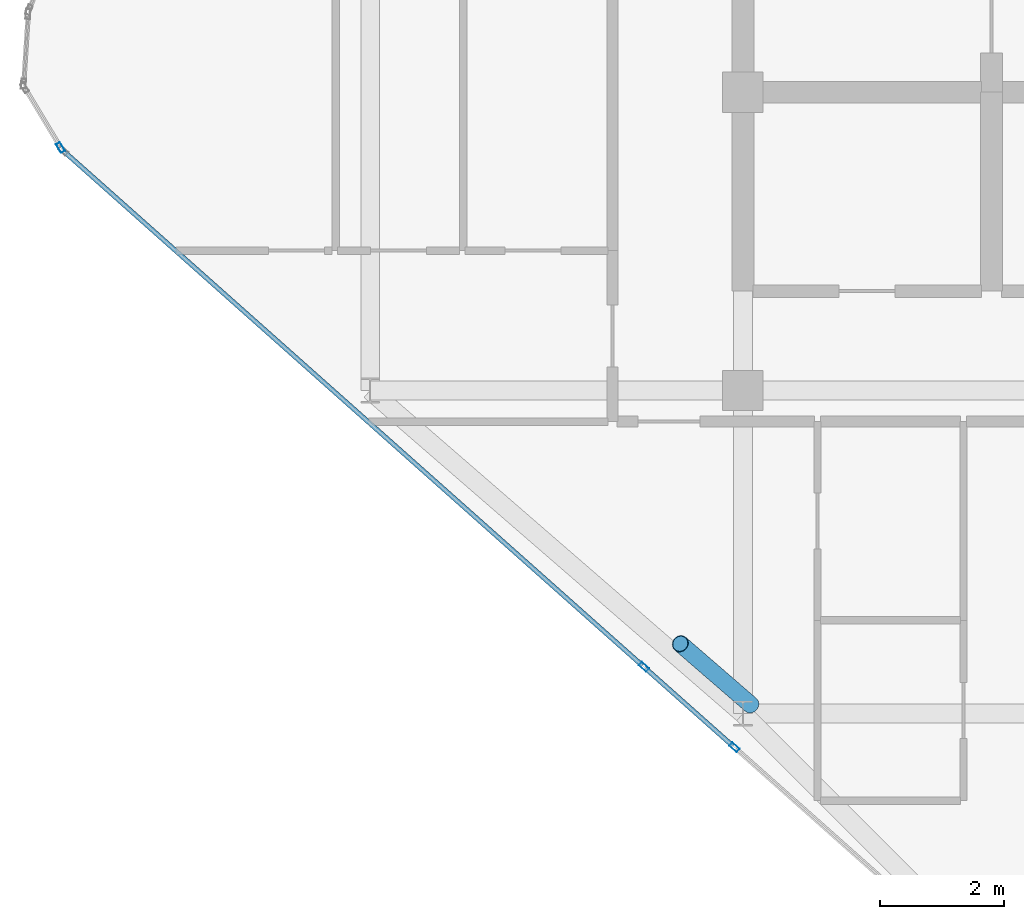
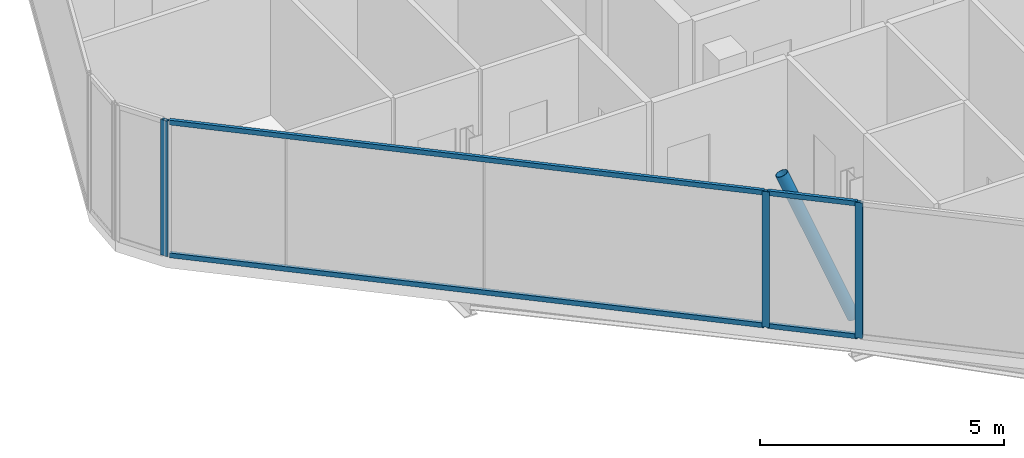
# One storey, part 3 of 27: 8 members, 4 elements without a shape of their own.
"""IFC4 building model written with IfcOpenShell, lengths in metres."""

from ifc_helpers import new_model, si_unit, direction, frame, origin, origin_2d, place, context, subcontext, project, spatial, hollow_rectangle, hollow_circle, extrude, material, layer, layer_set, material_profile, profile_set, type_object, element, aggregate, save


model = new_model("IFC4")

# Units and contexts
model_context = context("Model", 3, precision=1e-05, world=origin(), true_north=direction((0.0, 1.0)))
body_context = subcontext(model_context, "Body", "Model", "MODEL_VIEW")
ifc_project = project(units=[si_unit("LENGTHUNIT", "METRE"), si_unit("AREAUNIT", "SQUARE_METRE"), si_unit("VOLUMEUNIT", "CUBIC_METRE"), si_unit("PLANEANGLEUNIT", "RADIAN"), si_unit("MASSUNIT", "GRAM", prefix="KILO")], contexts=[model_context])

# Site, building, storey
site_placement = place(None, origin())
site = spatial("IfcSite", under=ifc_project, at=site_placement, CompositionType="ELEMENT")
building_placement = place(site_placement, origin())
building = spatial("IfcBuilding", under=site, at=building_placement, Name="Keshet Zoharim Tower", CompositionType="ELEMENT")
storey_placement = place(building_placement, frame((0.0, 0.0, 291.699951171875)))
storey = spatial("IfcBuildingStorey", under=building, at=storey_placement, Name="L73", CompositionType="ELEMENT", Elevation=291.699951171875)

# Curtain wall, member
ifc_material_1 = material(Name="Aluminium 6063-T6", Category="aluminium")
ifc_layer = layer(ifc_material_1, 0.260009765625)
ifc_layer_set = layer_set([ifc_layer], Name="Aluminium 6063-T6")
curtain_wall_type = type_object("IfcCurtainWallType", Name="CW-SYS-06", PredefinedType="NOTDEFINED", material=ifc_layer_set)
curtain_wall_1_placement = place(storey_placement, origin())
curtain_wall_1 = element("IfcCurtainWall", 1, at=curtain_wall_1_placement, inside=storey, type_object=curtain_wall_type, Name="L73 Unitised Curtain Wall 01", PredefinedType="NOTDEFINED")
ifc_material_profile_1 = material_profile(ifc_material_1, hollow_rectangle(XDim=0.074951171875, YDim=0.159912109375, WallThickness=0.00390625, at=origin_2d()), Name="MUL-75x160")
ifc_profile_set_1 = profile_set([ifc_material_profile_1], Name="Aluminium 6063-T6")
member_type_1 = type_object("IfcMemberType", Name="CWM-M15", PredefinedType="MULLION", material=ifc_profile_set_1)
member_1_placement = place(storey_placement, frame((4.016845703125, 21.81005859375, 0.0), z_axis=(0.0, 0.0, 1.0), x_axis=(-0.856826433805, -0.515604947933, 0.0)))
member_1 = element("IfcMember", 2, at=member_1_placement, type_object=member_type_1, Name="CW-06 mullion 1", PredefinedType="MULLION", context=body_context, shape_type="SweptSolid", body=[
    extrude(hollow_rectangle(XDim=0.074951171875, YDim=0.159912109375, WallThickness=0.00390625, at=origin_2d()), origin(), (0.0, 0.0, 1.0), 3.39013671875),
])
aggregate(curtain_wall_1, [member_1])

curtain_wall_2_placement = place(storey_placement, origin())
curtain_wall_2 = element("IfcCurtainWall", 3, at=curtain_wall_2_placement, inside=storey, type_object=curtain_wall_type, Name="L73 Unitised Curtain Wall 16", PredefinedType="NOTDEFINED")
member_2_placement = place(storey_placement, frame((14.863037109375, 12.155029296875, 0.0), z_axis=(0.0, 0.0, 1.0), x_axis=(-0.664362180559, -0.747410792699, 0.0)))
member_2 = element("IfcMember", 4, at=member_2_placement, type_object=member_type_1, Name="CW-06 mullion 2", PredefinedType="MULLION", context=body_context, shape_type="SweptSolid", body=[
    extrude(hollow_rectangle(XDim=0.074951171875, YDim=0.159912109375, WallThickness=0.00390625, at=origin_2d()), origin(), (0.0, 0.0, 1.0), 3.39013671875),
])
aggregate(curtain_wall_2, [member_2])

# Curtain wall, members
curtain_wall_3_placement = place(storey_placement, origin())
curtain_wall_3 = element("IfcCurtainWall", 5, at=curtain_wall_3_placement, inside=storey, type_object=curtain_wall_type, Name="L73 Unitised Curtain Wall 16 Part 2", PredefinedType="NOTDEFINED")
member_3_placement = place(storey_placement, frame((13.40576171875, 13.450439453125, 0.0), z_axis=(0.0, 0.0, 1.0), x_axis=(-0.664338369143, -0.747431957629, 0.0)))
member_3 = element("IfcMember", 6, at=member_3_placement, type_object=member_type_1, Name="CW-06 mullion 2", PredefinedType="MULLION", context=body_context, shape_type="SweptSolid", body=[
    extrude(hollow_rectangle(XDim=0.074951171875, YDim=0.159912109375, WallThickness=0.00390625, at=origin_2d()), origin(), (0.0, 0.0, 1.0), 3.39013671875),
])
ifc_material_profile_2 = material_profile(ifc_material_1, hollow_rectangle(XDim=0.074951171875, YDim=0.1201171875, WallThickness=0.00390625, at=origin_2d()), Name="TRN-75x120")
ifc_profile_set_2 = profile_set([ifc_material_profile_2], Name="Aluminium 6063-T6")
member_type_2 = type_object("IfcMemberType", Name="CWT-T12", PredefinedType="USERDEFINED", material=ifc_profile_set_2)
member_4_placement = place(storey_placement, frame((14.8369140625, 12.178466796875, 0.03515625), z_axis=(-0.747452318941, 0.664315460387, 0.0), x_axis=(-0.664315460387, -0.747452318941, 0.0)))
member_4 = element("IfcMember", 7, at=member_4_placement, type_object=member_type_2, Name="CW-06 transom 1.1", ObjectType="TRANSOM", PredefinedType="USERDEFINED", context=body_context, shape_type="SweptSolid", body=[
    extrude(hollow_rectangle(XDim=0.074951171875, YDim=0.1201171875, WallThickness=0.00390625, at=origin_2d()), origin(), (0.0, 0.0, 1.0), 1.87939453125),
])
member_5_placement = place(storey_placement, frame((14.8369140625, 12.178466796875, 3.35498046875), z_axis=(-0.747452318941, 0.664315460387, 0.0), x_axis=(-0.664315460387, -0.747452318941, 0.0)))
member_5 = element("IfcMember", 8, at=member_5_placement, type_object=member_type_2, Name="CW-06 transom 1.2", ObjectType="TRANSOM", PredefinedType="USERDEFINED", context=body_context, shape_type="SweptSolid", body=[
    extrude(hollow_rectangle(XDim=0.074951171875, YDim=0.1201171875, WallThickness=0.00390625, at=origin_2d()), origin(), (0.0, 0.0, 1.0), 1.87939453125),
])
aggregate(curtain_wall_3, [member_3, member_4, member_5])

curtain_wall_4_placement = place(storey_placement, origin())
curtain_wall_4 = element("IfcCurtainWall", 9, at=curtain_wall_4_placement, inside=storey, type_object=curtain_wall_type, Name="L73 Unitised Curtain Wall 16 Part 3", PredefinedType="NOTDEFINED")
member_6_placement = place(storey_placement, frame((13.379638671875, 13.4736328125, 0.03515625), z_axis=(-0.747409318684, 0.66436383883, 0.0), x_axis=(-0.66436383883, -0.747409318684, 0.0)))
member_6 = element("IfcMember", 10, at=member_6_placement, type_object=member_type_2, Name="CW-06 transom 1.1", ObjectType="TRANSOM", PredefinedType="USERDEFINED", context=body_context, shape_type="SweptSolid", body=[
    extrude(hollow_rectangle(XDim=0.074951171875, YDim=0.1201171875, WallThickness=0.00390625, at=origin_2d()), origin(), (0.0, 0.0, 1.0), 12.4326171875),
])
member_7_placement = place(storey_placement, frame((13.379638671875, 13.4736328125, 3.35498046875), z_axis=(-0.747409318684, 0.66436383883, 0.0), x_axis=(-0.66436383883, -0.747409318684, 0.0)))
member_7 = element("IfcMember", 11, at=member_7_placement, type_object=member_type_2, Name="CW-06 transom 1.2", ObjectType="TRANSOM", PredefinedType="USERDEFINED", context=body_context, shape_type="SweptSolid", body=[
    extrude(hollow_rectangle(XDim=0.074951171875, YDim=0.1201171875, WallThickness=0.00390625, at=origin_2d()), origin(), (0.0, 0.0, 1.0), 12.4326171875),
])
aggregate(curtain_wall_4, [member_6, member_7])

# Member
ifc_material_2 = material(Name="Steel S355", Category="steel")
ifc_material_profile_3 = material_profile(ifc_material_2, hollow_circle(Radius=0.136474609375, WallThickness=0.010009765625, at=origin_2d()), Name="CHS273x10")
ifc_profile_set_3 = profile_set([ifc_material_profile_3], Name="Steel S355")
member_type_3 = type_object("IfcMemberType", Name="MB-BR-C273", PredefinedType="BRACE", material=ifc_profile_set_3)
member_8_placement = place(storey_placement, frame((15.1259765625, 12.842041015625, 0.0), z_axis=(-0.305901085163, 0.264872801835, 0.914476311855), x_axis=(-0.654589683411, -0.755984355904, 0.0)))
element("IfcMember", 12, at=member_8_placement, inside=storey, type_object=member_type_3, Name="L73 Perimeter Tube Brace 01", PredefinedType="BRACE", context=body_context, shape_type="SweptSolid", body=[
    extrude(hollow_circle(Radius=0.136474609375, WallThickness=0.010009765625, at=origin_2d()), origin(), (0.0, 0.0, 1.0), 3.707275390625),
])

save(model, "model.ifc")
